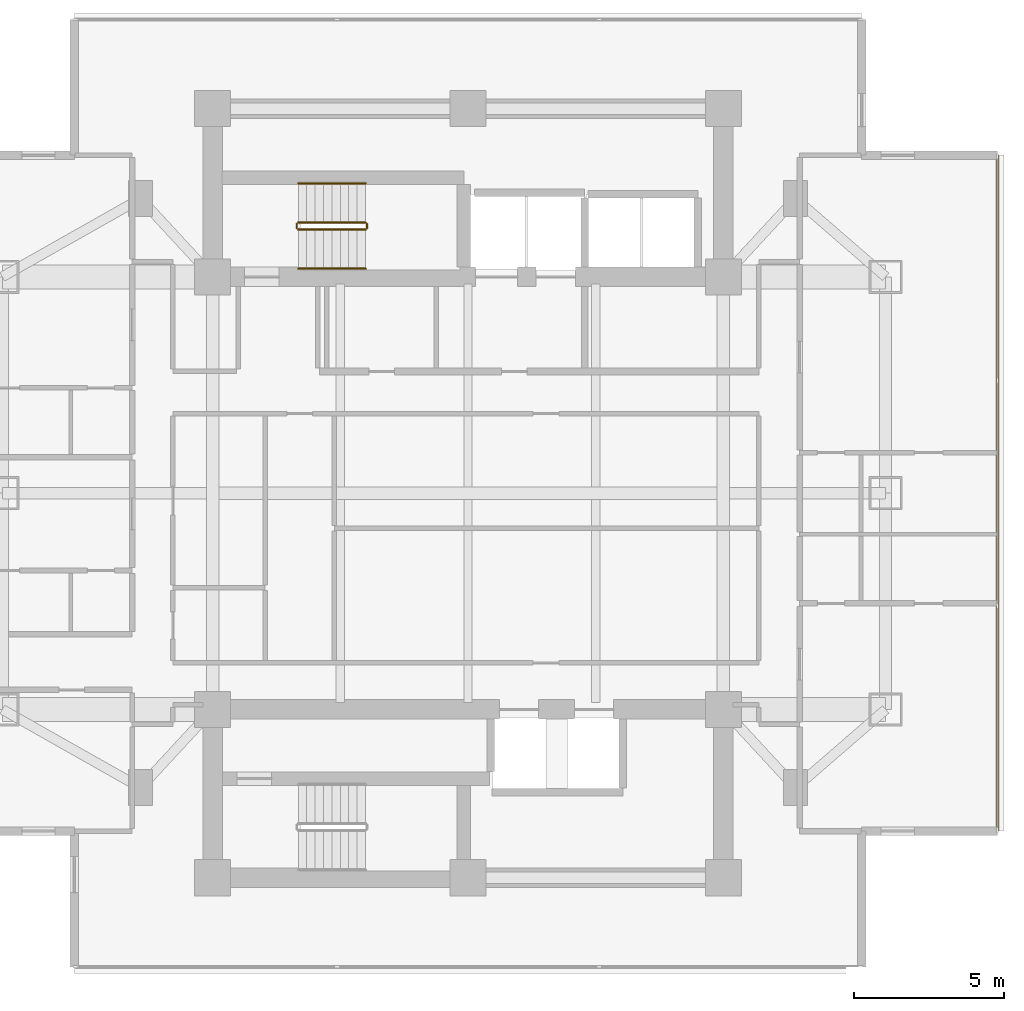
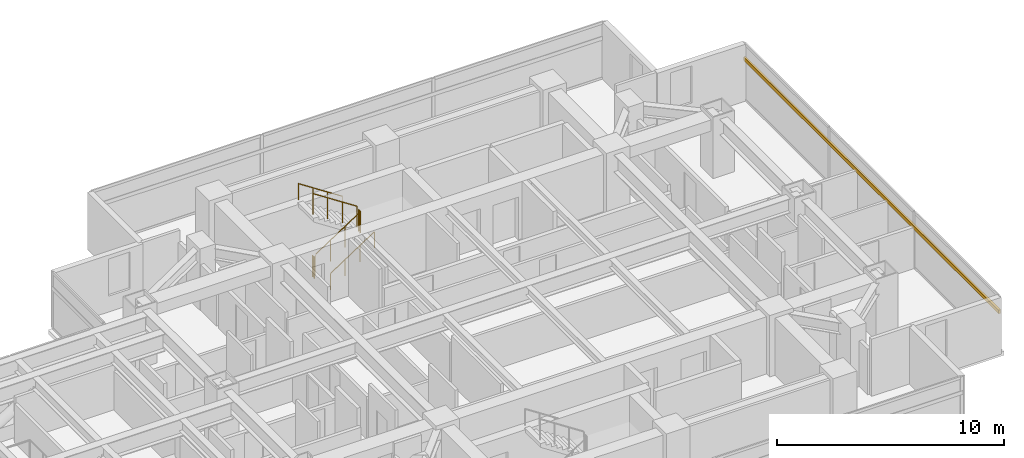
# One storey, part 26 of 27: 6 railings, 1 shading device.
"""IFC4 building model written with IfcOpenShell, lengths in metres."""

from ifc_helpers import new_model, si_unit, direction, frame, origin, origin_2d, place, context, subcontext, project, spatial, rectangle, circle, extrude, material, material_profile, profile_set, type_object, element, save


model = new_model("IFC4")

# Units and contexts
model_context = context("Model", 3, precision=1e-05, world=origin(), true_north=direction((0.0, 1.0)))
body_context = subcontext(model_context, "Body", "Model", "MODEL_VIEW")
ifc_project = project(units=[si_unit("LENGTHUNIT", "METRE"), si_unit("AREAUNIT", "SQUARE_METRE"), si_unit("VOLUMEUNIT", "CUBIC_METRE"), si_unit("PLANEANGLEUNIT", "RADIAN"), si_unit("MASSUNIT", "GRAM", prefix="KILO")], contexts=[model_context])

# Site, building, storey
site_placement = place(None, origin())
site = spatial("IfcSite", under=ifc_project, at=site_placement, CompositionType="ELEMENT")
building_placement = place(site_placement, origin())
building = spatial("IfcBuilding", under=site, at=building_placement, Name="Mirazonda Arch Towers", CompositionType="ELEMENT")
storey_placement = place(building_placement, frame((0.0, 0.0, 95.0)))
storey = spatial("IfcBuildingStorey", under=building, at=storey_placement, Name="L26", CompositionType="ELEMENT", Elevation=95.0)

# Shading device
ifc_material_1 = material(Name="Kiln-Fired Architectural Terracotta", Category="masonry")
ifc_material_profile = material_profile(ifc_material_1, rectangle(XDim=0.10009765625, YDim=0.199951171875, at=origin_2d()), Name="TERRA-BAG-100x200")
ifc_profile_set = profile_set([ifc_material_profile], Name="Kiln-Fired Architectural Terracotta")
shading_device_type = type_object("IfcShadingDeviceType", Name="BAGUETTE-2", PredefinedType="USERDEFINED", material=ifc_profile_set)
shading_device_placement = place(storey_placement, frame((94.118408203125, 16.752197265625, 2.203125), z_axis=(0.0, 1.0, 0.0), x_axis=(-1.0, 0.0, 0.0)))
element("IfcShadingDevice", 1, at=shading_device_placement, inside=storey, type_object=shading_device_type, Name="L26 Glazed Terracotta Sun-Screen Baguette CW-L26-T2-E", ObjectType="BAGUETTE", PredefinedType="USERDEFINED", context=body_context, shape_type="SweptSolid", body=[
    extrude(rectangle(XDim=0.10009765625, YDim=0.199951171875, at=origin_2d()), origin(), (0.0, 0.0, 1.0), 22.49560546875),
])

# Railings
ifc_material_2 = material(Name="Architectural Brushed Steel S355", Category="steel")
railing_type_1 = type_object("IfcRailingType", Name="GUARD-STAIR-1120", PredefinedType="GUARDRAIL", material=ifc_material_2)
railing_1_placement = place(storey_placement, frame((70.85009765625, 36.77001953125, 0.183349609375)))
element("IfcRailing", 2, at=railing_1_placement, inside=storey, type_object=railing_type_1, Name="L26 ST-T2N stair guard 1", PredefinedType="GUARDRAIL", context=body_context, shape_type="SweptSolid", body=[
    extrude(circle(Radius=0.02392578125, at=origin_2d()), frame((0.0, 0.0, 1.1259765625), z_axis=(0.836636935527, 0.0, 0.547757827979), x_axis=(0.0, 1.0, 0.0)), (0.0, 0.0, 1.0), 2.677490234375),
    extrude(circle(Radius=0.02099609375, at=origin_2d()), origin(), (0.0, 0.0, 1.0), 1.101806640625),
    extrude(circle(Radius=0.02099609375, at=origin_2d()), frame((0.74658203125, 0.0, 0.48876953125)), (0.0, 0.0, 1.0), 1.101806640625),
    extrude(circle(Radius=0.02099609375, at=origin_2d()), frame((1.493408203125, 0.0, 0.977783203125)), (0.0, 0.0, 1.0), 1.101806640625),
    extrude(circle(Radius=0.02099609375, at=origin_2d()), frame((2.239990234375, 0.0, 1.466552734375)), (0.0, 0.0, 1.0), 1.101806640625),
])
railing_2_placement = place(storey_placement, frame((73.139892578125, 36.820068359375, 1.64990234375)))
element("IfcRailing", 3, at=railing_2_placement, inside=storey, type_object=railing_type_1, Name="L26 ST-T2N stair guard 2", PredefinedType="GUARDRAIL", context=body_context, shape_type="SweptSolid", body=[
    extrude(circle(Radius=0.02392578125, at=origin_2d()), frame((0.0, 0.0, 1.1259765625), z_axis=(0.0, 1.0, 0.0), x_axis=(-1.0, 0.0, 0.0)), (0.0, 0.0, 1.0), 0.139892578125),
    extrude(circle(Radius=0.02099609375, at=origin_2d()), origin(), (0.0, 0.0, 1.0), 1.101806640625),
    extrude(circle(Radius=0.02099609375, at=origin_2d()), frame((0.0, 0.139892578125, 0.0)), (0.0, 0.0, 1.0), 1.101806640625),
])
railing_3_placement = place(storey_placement, frame((73.090087890625, 37.010009765625, 1.833251953125)))
element("IfcRailing", 4, at=railing_3_placement, inside=storey, type_object=railing_type_1, Name="L26 ST-T2N stair guard 3", PredefinedType="GUARDRAIL", context=body_context, shape_type="SweptSolid", body=[
    extrude(circle(Radius=0.02392578125, at=origin_2d()), frame((0.0, 0.0, 1.1259765625), z_axis=(-0.836595146698, 0.0, 0.547821650285), x_axis=(0.0, -1.0, 0.0)), (0.0, 0.0, 1.0), 2.677490234375),
    extrude(circle(Radius=0.02099609375, at=origin_2d()), origin(), (0.0, 0.0, 1.0), 1.101806640625),
    extrude(circle(Radius=0.02099609375, at=origin_2d()), frame((-0.74658203125, 0.0, 0.489013671875)), (0.0, 0.0, 1.0), 1.101806640625),
    extrude(circle(Radius=0.02099609375, at=origin_2d()), frame((-1.493408203125, 0.0, 0.977783203125)), (0.0, 0.0, 1.0), 1.101806640625),
    extrude(circle(Radius=0.02099609375, at=origin_2d()), frame((-2.239990234375, 0.0, 1.466796875)), (0.0, 0.0, 1.0), 1.101806640625),
])
railing_4_placement = place(storey_placement, frame((70.800048828125, 36.820068359375, 0.0)))
element("IfcRailing", 5, at=railing_4_placement, inside=storey, type_object=railing_type_1, Name="L26 ST-T2N stair guard 4", PredefinedType="GUARDRAIL", context=body_context, shape_type="SweptSolid", body=[
    extrude(circle(Radius=0.02392578125, at=origin_2d()), frame((0.0, 0.0, 1.1259765625), z_axis=(0.0, 1.0, 0.0), x_axis=(-1.0, 0.0, 0.0)), (0.0, 0.0, 1.0), 0.139892578125),
    extrude(circle(Radius=0.02099609375, at=origin_2d()), origin(), (0.0, 0.0, 1.0), 1.101806640625),
    extrude(circle(Radius=0.02099609375, at=origin_2d()), frame((0.0, 0.139892578125, 0.0)), (0.0, 0.0, 1.0), 1.101806640625),
])
railing_type_2 = type_object("IfcRailingType", Name="HANDRAIL-915", PredefinedType="HANDRAIL", material=ifc_material_2)
railing_5_placement = place(storey_placement, frame((70.85009765625, 35.469970703125, 0.183349609375)))
element("IfcRailing", 6, at=railing_5_placement, inside=storey, type_object=railing_type_2, Name="L26 ST-T2N stair handrail 1", PredefinedType="HANDRAIL", context=body_context, shape_type="SweptSolid", body=[
    extrude(circle(Radius=0.02392578125, at=origin_2d()), frame((0.0, 0.0, 0.8759765625), z_axis=(0.836636935527, 0.0, 0.547757827979), x_axis=(0.0, 1.0, 0.0)), (0.0, 0.0, 1.0), 2.677490234375),
    extrude(circle(Radius=0.02099609375, at=origin_2d()), origin(), (0.0, 0.0, 1.0), 0.851806640625),
    extrude(circle(Radius=0.02099609375, at=origin_2d()), frame((0.74658203125, 0.0, 0.48876953125)), (0.0, 0.0, 1.0), 0.851806640625),
    extrude(circle(Radius=0.02099609375, at=origin_2d()), frame((1.493408203125, 0.0, 0.977783203125)), (0.0, 0.0, 1.0), 0.851806640625),
    extrude(circle(Radius=0.02099609375, at=origin_2d()), frame((2.239990234375, 0.0, 1.466552734375)), (0.0, 0.0, 1.0), 0.851806640625),
])
railing_6_placement = place(storey_placement, frame((73.090087890625, 38.31005859375, 1.833251953125)))
element("IfcRailing", 7, at=railing_6_placement, inside=storey, type_object=railing_type_2, Name="L26 ST-T2N stair handrail 2", PredefinedType="HANDRAIL", context=body_context, shape_type="SweptSolid", body=[
    extrude(circle(Radius=0.02392578125, at=origin_2d()), frame((0.0, 0.0, 0.8759765625), z_axis=(-0.836595146698, 0.0, 0.547821650285), x_axis=(0.0, -1.0, 0.0)), (0.0, 0.0, 1.0), 2.677490234375),
    extrude(circle(Radius=0.02099609375, at=origin_2d()), origin(), (0.0, 0.0, 1.0), 0.851806640625),
    extrude(circle(Radius=0.02099609375, at=origin_2d()), frame((-0.74658203125, 0.0, 0.489013671875)), (0.0, 0.0, 1.0), 0.851806640625),
    extrude(circle(Radius=0.02099609375, at=origin_2d()), frame((-1.493408203125, 0.0, 0.977783203125)), (0.0, 0.0, 1.0), 0.851806640625),
    extrude(circle(Radius=0.02099609375, at=origin_2d()), frame((-2.239990234375, 0.0, 1.466796875)), (0.0, 0.0, 1.0), 0.851806640625),
])

save(model, "model.ifc")
